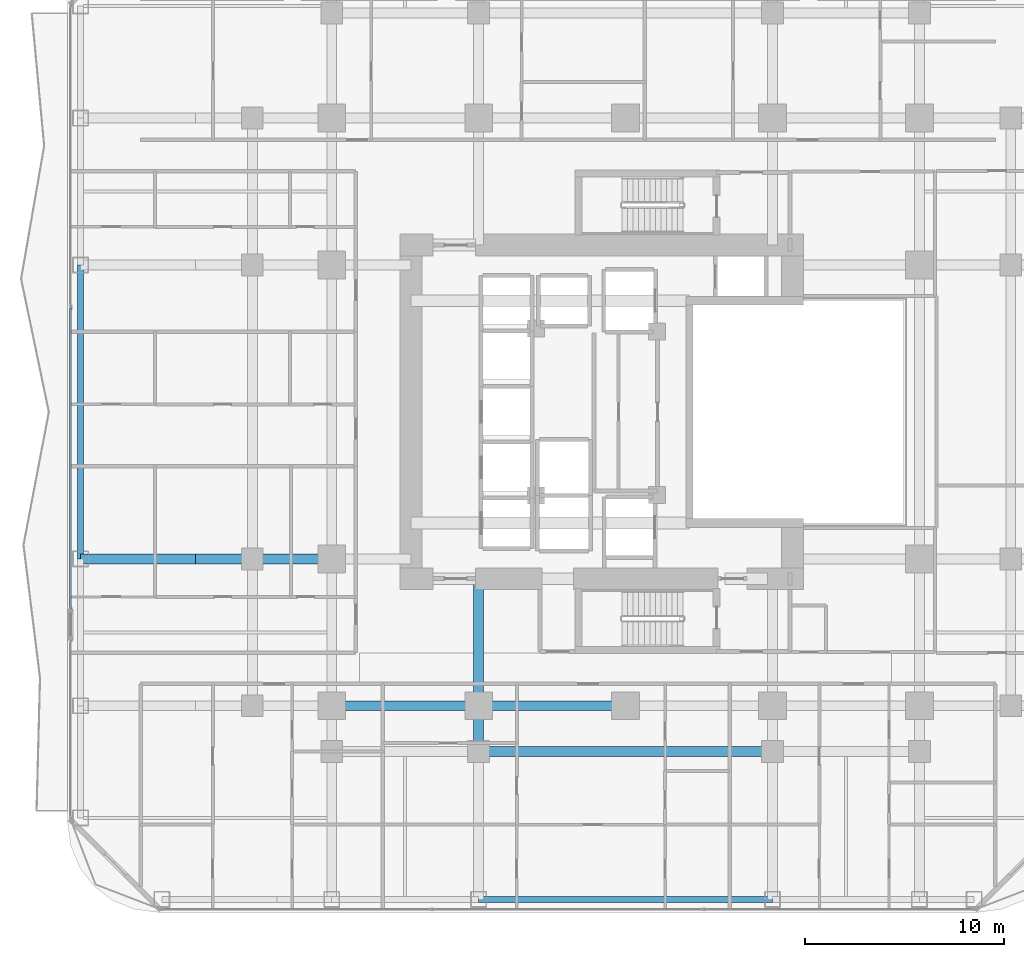
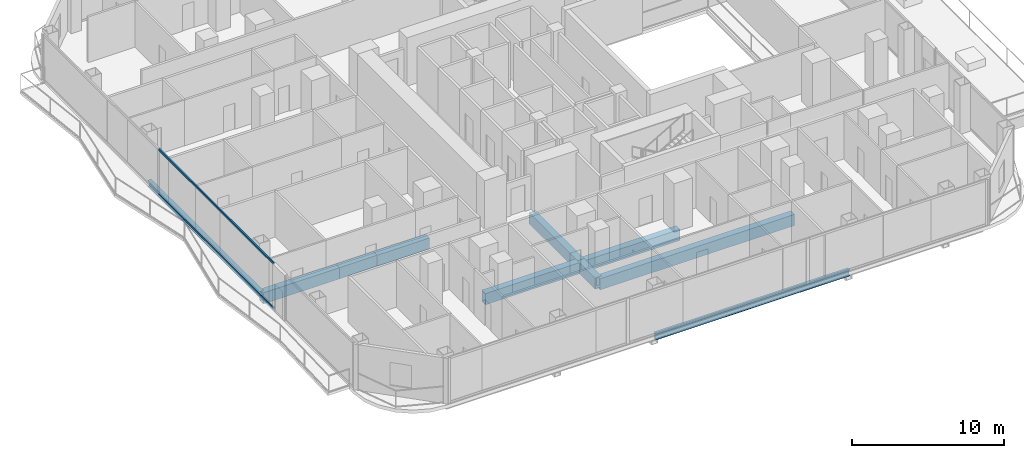
# One storey, part 5 of 29: 10 beams, 2 members, 1 element without a shape of its own.
"""IFC4 building model written with IfcOpenShell, lengths in metres."""

from ifc_helpers import new_model, si_unit, direction, frame, origin, origin_2d, place, context, subcontext, project, spatial, hollow_rectangle, i_section, extrude, material, layer, layer_set, material_profile, profile_set, type_object, element, aggregate, save


model = new_model("IFC4")

# Units and contexts
model_context = context("Model", 3, precision=1e-05, world=origin(), true_north=direction((0.0, 1.0)))
body_context = subcontext(model_context, "Body", "Model", "MODEL_VIEW")
ifc_project = project(units=[si_unit("LENGTHUNIT", "METRE"), si_unit("AREAUNIT", "SQUARE_METRE"), si_unit("VOLUMEUNIT", "CUBIC_METRE"), si_unit("PLANEANGLEUNIT", "RADIAN"), si_unit("MASSUNIT", "GRAM", prefix="KILO")], contexts=[model_context])

# Site, building, storey
site_placement = place(None, origin())
site = spatial("IfcSite", under=ifc_project, at=site_placement, CompositionType="ELEMENT")
building_placement = place(site_placement, origin())
building = spatial("IfcBuilding", under=site, at=building_placement, Name="Khorvyn Point Tower", CompositionType="ELEMENT")
storey_placement = place(building_placement, frame((0.0, 0.0, 54.0)))
storey = spatial("IfcBuildingStorey", under=building, at=storey_placement, Name="L14", CompositionType="ELEMENT", Elevation=54.0)

# Curtain wall, members
ifc_material_1 = material(Name="Anodised aluminium 6063-T6 and laminated Low-E glass", Category="aluminium")
ifc_layer = layer(ifc_material_1, 0.18994140625)
ifc_layer_set = layer_set([ifc_layer], Name="Stick-Built Finned Residential Curtain Wall CW-SYS-02")
curtain_wall_type = type_object("IfcCurtainWallType", Name="Stick-Built Finned Residential Curtain Wall CW-SYS-02", PredefinedType="NOTDEFINED", material=ifc_layer_set)
curtain_wall_placement = place(storey_placement, origin())
curtain_wall = element("IfcCurtainWall", 1, at=curtain_wall_placement, inside=storey, type_object=curtain_wall_type, Name="Curtain Wall", PredefinedType="NOTDEFINED")
ifc_material_2 = material(Name="Anodised aluminium 6063-T6", Category="aluminium")
ifc_material_profile_1 = material_profile(ifc_material_2, hollow_rectangle(XDim=0.10009765625, YDim=0.159912109375, WallThickness=0.00439453125, at=origin_2d()))
ifc_profile_set_1 = profile_set([ifc_material_profile_1], Name="Anodised aluminium 6063-T6 ALU-TRN-100x160")
member_type = type_object("IfcMemberType", Name="Anodised Aluminium 6063-T6 Transom ALU-TRN-100x160", PredefinedType="USERDEFINED", material=ifc_profile_set_1)
member_1_placement = place(storey_placement, frame((-27.949951171875, -9.89990234375, 0.050048828125), z_axis=(0.0, 1.0, 0.0), x_axis=(-1.0, 0.0, 0.0)))
member_1 = element("IfcMember", 2, at=member_1_placement, type_object=member_type, Name="Transom", ObjectType="TRANSOM", PredefinedType="USERDEFINED", context=body_context, shape_type="SweptSolid", body=[
    extrude(hollow_rectangle(XDim=0.10009765625, YDim=0.159912109375, WallThickness=0.00439453125, at=origin_2d()), origin(), (0.0, 0.0, 1.0), 15.125),
])
member_2_placement = place(storey_placement, frame((-27.949951171875, -9.89990234375, 3.6298828125), z_axis=(0.0, 1.0, 0.0), x_axis=(-1.0, 0.0, 0.0)))
member_2 = element("IfcMember", 3, at=member_2_placement, type_object=member_type, Name="Transom", ObjectType="TRANSOM", PredefinedType="USERDEFINED", context=body_context, shape_type="SweptSolid", body=[
    extrude(hollow_rectangle(XDim=0.10009765625, YDim=0.159912109375, WallThickness=0.00439453125, at=origin_2d()), origin(), (0.0, 0.0, 1.0), 15.125),
])
aggregate(curtain_wall, [member_1, member_2])

# Beams
ifc_material_3 = material(Name="Steel S355", Category="steel")
ifc_material_profile_2 = material_profile(ifc_material_3, i_section(OverallWidth=0.300048828125, OverallDepth=0.488037109375, WebThickness=0.010986328125, FlangeThickness=0.01806640625, at=origin_2d()))
ifc_profile_set_2 = profile_set([ifc_material_profile_2], Name="Steel S355 H488x300x11x18")
beam_type_1 = type_object("IfcBeamType", Name="Steel S355 Spandrel H488x300x11x18", PredefinedType="SPANDREL", material=ifc_profile_set_2)
for number, where, z_axis, x_axis, name in (
    (4, (-7.39990234375, -24.550048828125, -0.52392578125), (1.0, 0.0, 0.0), (0.0, 1.0, 0.0), "Beam"),
    (5, (-27.449951171875, -7.39990234375, -0.52392578125), (0.0, 1.0, 0.0), (-1.0, 0.0, 0.0), "Beam"),
):
    element("IfcBeam", number, at=place(storey_placement, frame(where, z_axis=z_axis, x_axis=x_axis)), inside=storey, type_object=beam_type_1, Name=name, PredefinedType="SPANDREL", context=body_context, shape_type="SweptSolid", body=[
        extrude(i_section(OverallWidth=0.300048828125, OverallDepth=0.488037109375, WebThickness=0.010986328125, FlangeThickness=0.01806640625, at=origin_2d()), origin(), (0.0, 0.0, 1.0), 14.7998046875),
    ])
ifc_material_4 = material(Name="Steel S450", Category="steel")
ifc_material_profile_3 = material_profile(ifc_material_4, hollow_rectangle(XDim=0.5, YDim=0.89990234375, WallThickness=0.0400390625, at=origin_2d()))
ifc_profile_set_3 = profile_set([ifc_material_profile_3], Name="Steel S450 BOX900x500x40")
beam_type_2 = type_object("IfcBeamType", Name="Steel S450 Beam BOX900x500x40", PredefinedType="BEAM", material=ifc_profile_set_3)
beam_1_placement = place(storey_placement, frame((-14.800048828125, -14.800048828125, -0.72998046875), z_axis=(1.0, 0.0, 0.0), x_axis=(0.0, 1.0, 0.0)))
element("IfcBeam", 6, at=beam_1_placement, inside=storey, type_object=beam_type_2, Name="L14 Radial Transfer Girder", PredefinedType="BEAM", context=body_context, shape_type="SweptSolid", body=[
    extrude(hollow_rectangle(XDim=0.5, YDim=0.89990234375, WallThickness=0.0400390625, at=origin_2d()), origin(), (0.0, 0.0, 1.0), 7.400146484375),
])
beam_2_placement = place(storey_placement, frame((-7.39990234375, -14.800048828125, -0.72998046875), z_axis=(1.0, 0.0, 0.0), x_axis=(0.0, 1.0, 0.0)))
element("IfcBeam", 7, at=beam_2_placement, inside=storey, type_object=beam_type_2, Name="L14 Radial Transfer Girder", PredefinedType="BEAM", context=body_context, shape_type="SweptSolid", body=[
    extrude(hollow_rectangle(XDim=0.5, YDim=0.89990234375, WallThickness=0.0400390625, at=origin_2d()), origin(), (0.0, 0.0, 1.0), 7.39990234375),
])
beam_3_placement = place(storey_placement, frame((-27.449951171875, -7.39990234375, -0.72998046875), z_axis=(1.0, 0.0, 0.0), x_axis=(0.0, 1.0, 0.0)))
element("IfcBeam", 8, at=beam_3_placement, inside=storey, type_object=beam_type_2, Name="Beam", PredefinedType="BEAM", context=body_context, shape_type="SweptSolid", body=[
    extrude(hollow_rectangle(XDim=0.5, YDim=0.89990234375, WallThickness=0.0400390625, at=origin_2d()), origin(), (0.0, 0.0, 1.0), 5.800048828125),
])
beam_4_placement = place(storey_placement, frame((-21.64990234375, -7.39990234375, -0.72998046875), z_axis=(1.0, 0.0, 0.0), x_axis=(0.0, 1.0, 0.0)))
element("IfcBeam", 9, at=beam_4_placement, inside=storey, type_object=beam_type_2, Name="Beam", PredefinedType="BEAM", context=body_context, shape_type="SweptSolid", body=[
    extrude(hollow_rectangle(XDim=0.5, YDim=0.89990234375, WallThickness=0.0400390625, at=origin_2d()), origin(), (0.0, 0.0, 1.0), 2.849853515625),
])
beam_5_placement = place(storey_placement, frame((-18.800048828125, -7.39990234375, -0.72998046875), z_axis=(1.0, 0.0, 0.0), x_axis=(0.0, 1.0, 0.0)))
element("IfcBeam", 10, at=beam_5_placement, inside=storey, type_object=beam_type_2, Name="Beam", PredefinedType="BEAM", context=body_context, shape_type="SweptSolid", body=[
    extrude(hollow_rectangle(XDim=0.5, YDim=0.89990234375, WallThickness=0.0400390625, at=origin_2d()), origin(), (0.0, 0.0, 1.0), 4.0),
])
beam_6_placement = place(storey_placement, frame((-7.39990234375, -17.10009765625, -0.72998046875), z_axis=(1.0, 0.0, 0.0), x_axis=(0.0, 1.0, 0.0)))
element("IfcBeam", 11, at=beam_6_placement, inside=storey, type_object=beam_type_2, Name="Beam", PredefinedType="BEAM", context=body_context, shape_type="SweptSolid", body=[
    extrude(hollow_rectangle(XDim=0.5, YDim=0.89990234375, WallThickness=0.0400390625, at=origin_2d()), origin(), (0.0, 0.0, 1.0), 14.7998046875),
])
beam_7_placement = place(storey_placement, frame((-7.39990234375, -17.10009765625, -0.72998046875), z_axis=(0.0, 1.0, 0.0), x_axis=(-1.0, 0.0, 0.0)))
element("IfcBeam", 12, at=beam_7_placement, inside=storey, type_object=beam_type_2, Name="Beam", PredefinedType="BEAM", context=body_context, shape_type="SweptSolid", body=[
    extrude(hollow_rectangle(XDim=0.5, YDim=0.89990234375, WallThickness=0.0400390625, at=origin_2d()), origin(), (0.0, 0.0, 1.0), 2.300048828125),
])
beam_8_placement = place(storey_placement, frame((-7.39990234375, -14.800048828125, -0.72998046875), z_axis=(0.0, 1.0, 0.0), x_axis=(-1.0, 0.0, 0.0)))
element("IfcBeam", 13, at=beam_8_placement, inside=storey, type_object=beam_type_2, Name="Beam", PredefinedType="BEAM", context=body_context, shape_type="SweptSolid", body=[
    extrude(hollow_rectangle(XDim=0.5, YDim=0.89990234375, WallThickness=0.0400390625, at=origin_2d()), origin(), (0.0, 0.0, 1.0), 6.400146484375),
])

save(model, "model.ifc")
